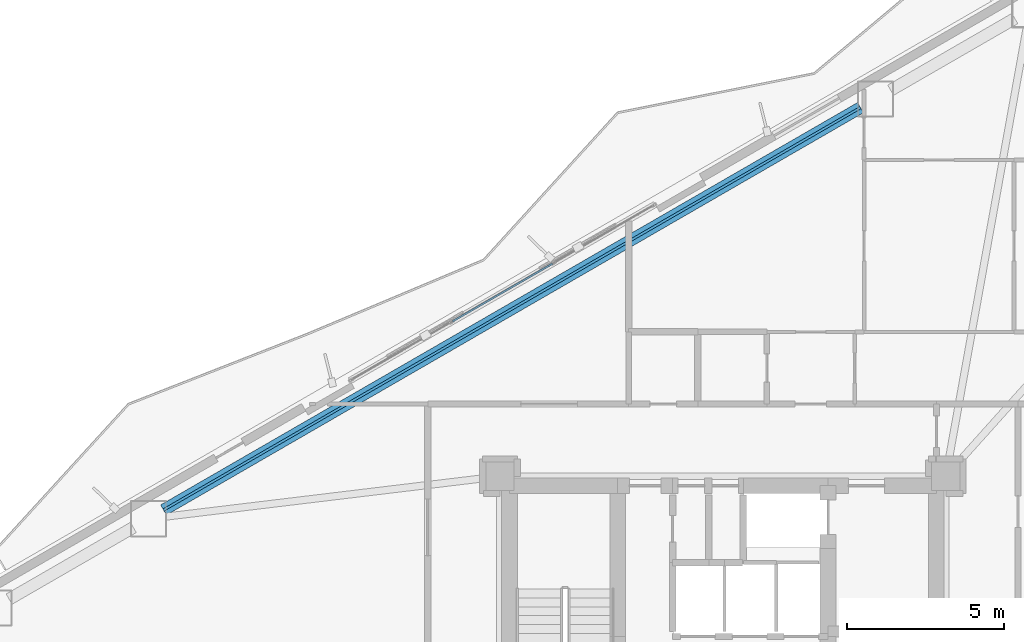
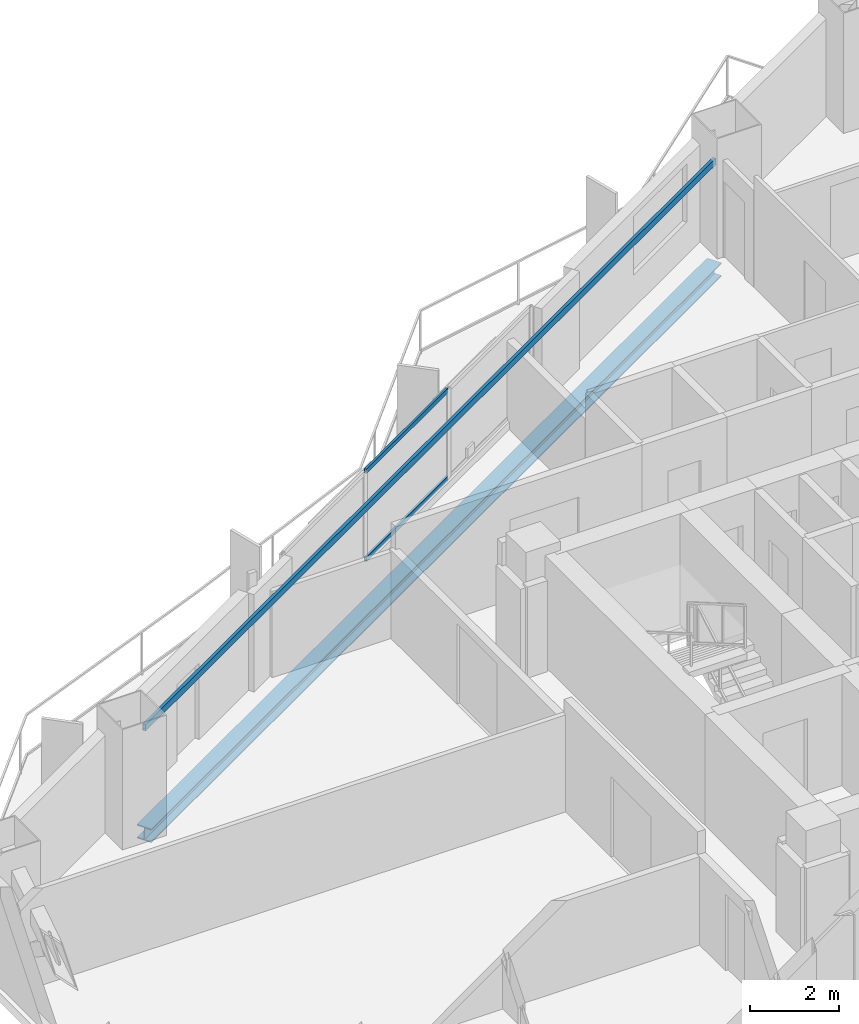
# One storey, part 12 of 22: 2 beams, 2 members, 1 element without a shape of its own.
"""IFC4 building model written with IfcOpenShell, lengths in metres."""

from ifc_helpers import new_model, si_unit, direction, frame, origin, origin_2d, place, context, subcontext, project, spatial, hollow_rectangle, i_section, extrude, material, layer, layer_set, material_profile, profile_set, type_object, element, aggregate, save


model = new_model("IFC4")

# Units and contexts
model_context = context("Model", 3, precision=1e-05, world=origin(), true_north=direction((0.0, 1.0)))
body_context = subcontext(model_context, "Body", "Model", "MODEL_VIEW")
ifc_project = project(units=[si_unit("LENGTHUNIT", "METRE"), si_unit("AREAUNIT", "SQUARE_METRE"), si_unit("VOLUMEUNIT", "CUBIC_METRE"), si_unit("PLANEANGLEUNIT", "RADIAN"), si_unit("MASSUNIT", "GRAM", prefix="KILO")], contexts=[model_context])

# Site, building, storey
site_placement = place(None, origin())
site = spatial("IfcSite", under=ifc_project, at=site_placement, CompositionType="ELEMENT")
building_placement = place(site_placement, origin())
building = spatial("IfcBuilding", under=site, at=building_placement, Name="Mersakhor Tower and Convention Hall", CompositionType="ELEMENT")
storey_placement = place(building_placement, frame((0.0, 0.0, 83.39990234375)))
storey = spatial("IfcBuildingStorey", under=building, at=storey_placement, Name="L22", CompositionType="ELEMENT", Elevation=83.39990234375)

# Beams
ifc_material_1 = material(Name="Steel S355", Category="steel")
ifc_material_profile_1 = material_profile(ifc_material_1, hollow_rectangle(XDim=0.080078125, YDim=0.179931640625, WallThickness=0.008056640625, at=origin_2d()), Name="RHS 180x80x8")
ifc_profile_set_1 = profile_set([ifc_material_profile_1], Name="Steel S355")
beam_type_1 = type_object("IfcBeamType", Name="BM-GRT-RHS180", PredefinedType="USERDEFINED", material=ifc_profile_set_1)
beam_1_placement = place(storey_placement, frame((11.18310546875, 31.976318359375, 2.47998046875), z_axis=(0.866022538643, 0.500004962538, 0.0), x_axis=(-0.500004962538, 0.866022538643, 0.0)))
element("IfcBeam", 1, at=beam_1_placement, inside=storey, type_object=beam_type_1, Name="L22 Facade Support Girt GRT-F1", ObjectType="GIRT", PredefinedType="USERDEFINED", context=body_context, shape_type="SweptSolid", body=[
    extrude(hollow_rectangle(XDim=0.080078125, YDim=0.179931640625, WallThickness=0.008056640625, at=origin_2d()), origin(), (0.0, 0.0, 1.0), 25.633544921875),
])
ifc_material_2 = material(Name="Steel S355", Category="steel")
ifc_material_profile_2 = material_profile(ifc_material_2, i_section(OverallWidth=0.374755859375, OverallDepth=0.37451171875, WebThickness=0.0166015625, FlangeThickness=0.027099609375, at=origin_2d()), Name="UC 356x368x202")
ifc_profile_set_2 = profile_set([ifc_material_profile_2], Name="Steel S355")
beam_type_2 = type_object("IfcBeamType", Name="BM-SPD-UC356", PredefinedType="SPANDREL", material=ifc_profile_set_2)
beam_2_placement = place(storey_placement, frame((11.18310546875, 31.976318359375, -0.437255859375), z_axis=(0.866022538643, 0.500004962538, 0.0), x_axis=(-0.500004962538, 0.866022538643, 0.0)))
element("IfcBeam", 2, at=beam_2_placement, inside=storey, type_object=beam_type_2, Name="L22 Perimeter Spandrel Beam SPB-02", PredefinedType="SPANDREL", context=body_context, shape_type="SweptSolid", body=[
    extrude(i_section(OverallWidth=0.374755859375, OverallDepth=0.37451171875, WebThickness=0.0166015625, FlangeThickness=0.027099609375, at=origin_2d()), origin(), (0.0, 0.0, 1.0), 25.633544921875),
])

# Curtain wall, members
ifc_material_3 = material(Name="Dark solar low-E aluminium curtain wall", Category="aluminium")
ifc_layer = layer(ifc_material_3, 0.159912109375)
ifc_layer_set = layer_set([ifc_layer], Name="Dark solar low-E aluminium curtain wall")
curtain_wall_type = type_object("IfcCurtainWallType", Name="CW-SYS-01", PredefinedType="USERDEFINED", material=ifc_layer_set)
curtain_wall_placement = place(storey_placement, origin())
curtain_wall = element("IfcCurtainWall", 3, at=curtain_wall_placement, inside=storey, type_object=curtain_wall_type, Name="L22 Dark-Glass Curtain Wall F1-B2", ObjectType="CURTAIN WALL", PredefinedType="USERDEFINED")
ifc_material_4 = material(Name="Anodised aluminium EN AW-6063 T6", Category="aluminium")
ifc_material_profile_3 = material_profile(ifc_material_4, hollow_rectangle(XDim=0.06005859375, YDim=0.1201171875, WallThickness=0.0048828125, at=origin_2d()), Name="RHS 120x60x5")
ifc_profile_set_3 = profile_set([ifc_material_profile_3], Name="Anodised aluminium EN AW-6063 T6")
member_type = type_object("IfcMemberType", Name="CWT-120x60", PredefinedType="USERDEFINED", material=ifc_profile_set_3)
member_1_placement = place(storey_placement, frame((20.394287109375, 37.9873046875, 0.22998046875), z_axis=(0.866039286129, 0.499975954304, 0.0), x_axis=(-0.499975954304, 0.866039286129, 0.0)))
member_1 = element("IfcMember", 4, at=member_1_placement, type_object=member_type, Name="CW-01 transom 2.1", ObjectType="TRANSOM", PredefinedType="USERDEFINED", context=body_context, shape_type="SweptSolid", body=[
    extrude(hollow_rectangle(XDim=0.06005859375, YDim=0.1201171875, WallThickness=0.0048828125, at=origin_2d()), origin(), (0.0, 0.0, 1.0), 3.668212890625),
])
member_2_placement = place(storey_placement, frame((20.394287109375, 37.9873046875, 2.64013671875), z_axis=(0.866039286129, 0.499975954304, 0.0), x_axis=(-0.499975954304, 0.866039286129, 0.0)))
member_2 = element("IfcMember", 5, at=member_2_placement, type_object=member_type, Name="CW-01 transom 2.2", ObjectType="TRANSOM", PredefinedType="USERDEFINED", context=body_context, shape_type="SweptSolid", body=[
    extrude(hollow_rectangle(XDim=0.06005859375, YDim=0.1201171875, WallThickness=0.0048828125, at=origin_2d()), origin(), (0.0, 0.0, 1.0), 3.668212890625),
])
aggregate(curtain_wall, [member_1, member_2])

save(model, "model.ifc")
